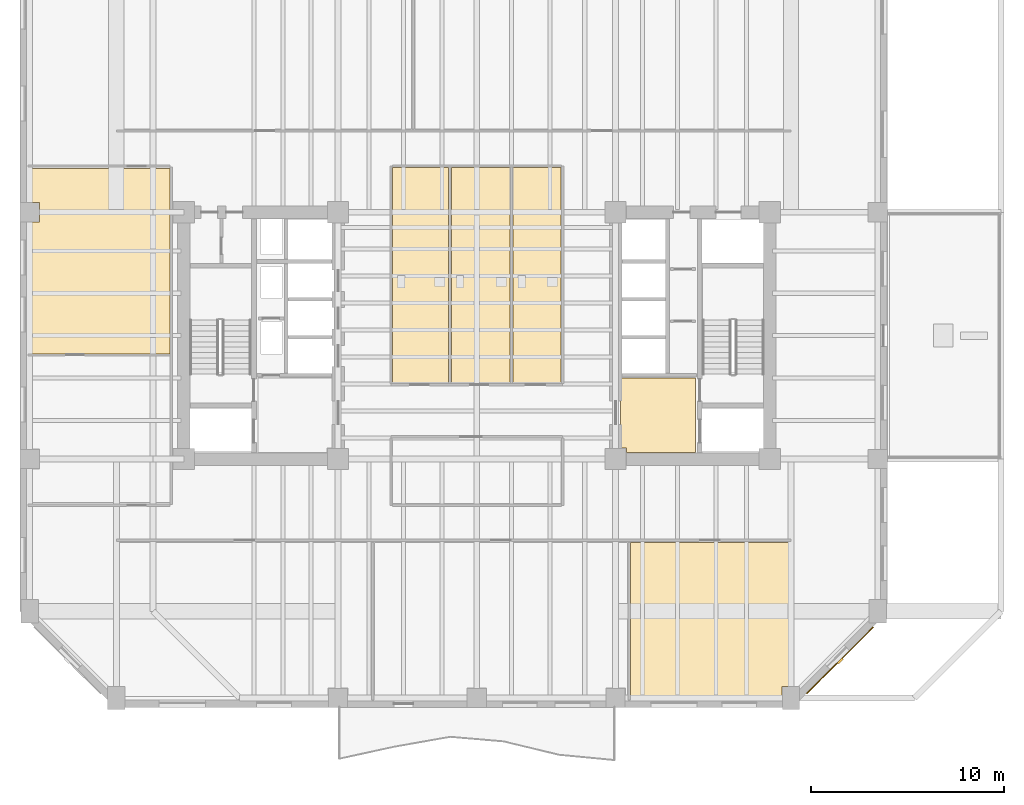
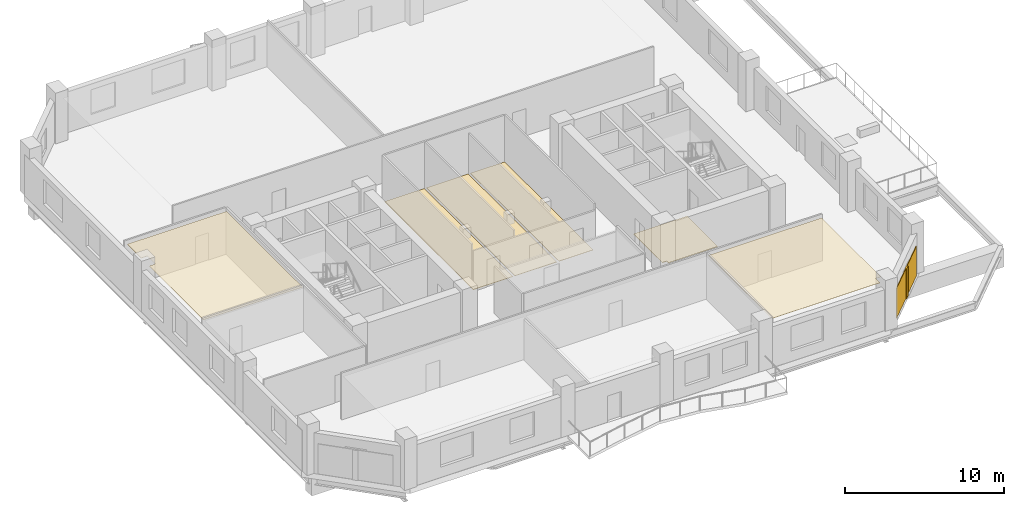
# One storey, part 8 of 11: 7 coverings, 1 shading device.
"""IFC4 building model written with IfcOpenShell, lengths in metres."""

from ifc_helpers import new_model, si_unit, direction, frame, origin, origin_2d, place, context, subcontext, project, spatial, polyline, rectangle, outline, extrude, material, layer, layer_set, type_object, element, save


model = new_model("IFC4")

# Units and contexts
model_context = context("Model", 3, precision=1e-05, world=origin(), true_north=direction((0.0, 1.0)))
body_context = subcontext(model_context, "Body", "Model", "MODEL_VIEW")
ifc_project = project(units=[si_unit("LENGTHUNIT", "METRE"), si_unit("AREAUNIT", "SQUARE_METRE"), si_unit("VOLUMEUNIT", "CUBIC_METRE"), si_unit("PLANEANGLEUNIT", "RADIAN"), si_unit("MASSUNIT", "GRAM", prefix="KILO")], contexts=[model_context])

# Site, building, storey
site_placement = place(None, origin())
site = spatial("IfcSite", under=ifc_project, at=site_placement, CompositionType="ELEMENT")
building_placement = place(site_placement, origin())
building = spatial("IfcBuilding", under=site, at=building_placement, Name="Kranthara Brick Stack", CompositionType="ELEMENT")
storey_placement = place(building_placement, frame((0.0, 0.0, 94.5)))
storey = spatial("IfcBuildingStorey", under=building, at=storey_placement, Name="L23", CompositionType="ELEMENT", Elevation=94.5)

# Coverings
ifc_material_1 = material(Name="Perforated mineral-fibre acoustic ceiling tile", Category="other")
ifc_layer_1 = layer(ifc_material_1, 0.02490234375)
ifc_layer_set_1 = layer_set([ifc_layer_1], Name="Perforated mineral-fibre acoustic ceiling tile")
covering_type_1 = type_object("IfcCoveringType", Name="COV-CEIL-ACOUSTIC", PredefinedType="CEILING", material=ifc_layer_set_1)
covering_1_placement = place(storey_placement, frame((0.0, 0.0, 3.330078125)))
element("IfcCovering", 1, at=covering_1_placement, inside=storey, type_object=covering_type_1, Name="L23 L23 Boardroom 3 Acoustic Ceiling", PredefinedType="CEILING", context=body_context, shape_type="SweptSolid", body=[
    extrude(outline(polyline([(35.97998046875, 8.469970703125), (35.97998046875, 16.47998046875), (44.219970703125, 16.47998046875), (44.219970703125, 9.010009765625), (43.840087890625, 9.010009765625), (43.840087890625, 8.469970703125), (35.97998046875, 8.469970703125)])), origin(), (0.0, 0.0, 1.0), 0.02490234375),
])
covering_2_placement = place(storey_placement, frame((0.0, 0.0, 3.330078125)))
element("IfcCovering", 2, at=covering_2_placement, inside=storey, type_object=covering_type_1, Name="L23 L23 West Executive Office 2 Acoustic Ceiling", PredefinedType="CEILING", context=body_context, shape_type="SweptSolid", body=[
    extrude(outline(polyline([(4.8701171875, 35.860107421875), (12.080078125, 35.860107421875), (12.080078125, 26.260009765625), (4.8701171875, 26.260009765625), (4.8701171875, 33.090087890625), (5.31005859375, 33.090087890625), (5.31005859375, 34.110107421875), (4.8701171875, 34.110107421875), (4.8701171875, 35.860107421875)])), origin(), (0.0, 0.0, 1.0), 0.02490234375),
])
ifc_material_2 = material(Name="Warm buff kiln-fired brick slip rainscreen", Category="masonry")
ifc_layer_2 = layer(ifc_material_2, 0.044921875)
ifc_layer_set_2 = layer_set([ifc_layer_2], Name="Warm buff kiln-fired brick slip rainscreen")
covering_type_2 = type_object("IfcCoveringType", Name="COV-CLAD-BRICK", PredefinedType="CLADDING", material=ifc_layer_set_2)
covering_3_placement = place(storey_placement, frame((46.843505859375, 10.3564453125, 0.0498046875), z_axis=(0.0, 0.0, 1.0), x_axis=(-0.707106781187, -0.707106781187, 0.0)))
element("IfcCovering", 3, at=covering_3_placement, inside=storey, type_object=covering_type_2, Name="L23 Chamfer Brick Rainscreen Cladding SE", PredefinedType="CLADDING", context=body_context, shape_type="SweptSolid", body=[
    extrude(rectangle(XDim=4.876953125, YDim=0.044921875, at=origin_2d()), origin(), (0.0, 0.0, 1.0), 2.300048828125),
])
ifc_material_3 = material(Name="Honed terrazzo and porcelain floor finish", Category="stone")
ifc_layer_3 = layer(ifc_material_3, 0.030029296875)
ifc_layer_set_3 = layer_set([ifc_layer_3], Name="Honed terrazzo and porcelain floor finish")
covering_type_3 = type_object("IfcCoveringType", Name="COV-FLOR-STONE", PredefinedType="FLOORING", material=ifc_layer_set_3)
covering_4_placement = place(storey_placement, origin())
element("IfcCovering", 4, at=covering_4_placement, inside=storey, type_object=covering_type_3, Name="L23 Lift Lobby Stone Flooring", PredefinedType="FLOORING", context=body_context, shape_type="SweptSolid", body=[
    extrude(outline(polyline([(35.449951171875, 25.0), (39.35009765625, 25.0), (39.35009765625, 21.14990234375), (35.760009765625, 21.14990234375), (35.760009765625, 21.360107421875), (35.449951171875, 21.360107421875), (35.449951171875, 25.0)])), origin(), (0.0, 0.0, 1.0), 0.030029296875),
])
covering_5_placement = place(storey_placement, origin())
element("IfcCovering", 5, at=covering_5_placement, inside=storey, type_object=covering_type_3, Name="L23 Wet Room Porcelain Flooring", PredefinedType="FLOORING", context=body_context, shape_type="SweptSolid", body=[
    extrude(outline(polyline([(26.52001953125, 24.75), (26.52001953125, 35.919921875), (23.6298828125, 35.919921875), (23.6298828125, 24.75), (26.52001953125, 24.75)])), origin(), (0.0, 0.0, 1.0), 0.030029296875),
])
covering_6_placement = place(storey_placement, origin())
element("IfcCovering", 6, at=covering_6_placement, inside=storey, type_object=covering_type_3, Name="L23 Wet Room Porcelain Flooring", PredefinedType="FLOORING", context=body_context, shape_type="SweptSolid", body=[
    extrude(outline(polyline([(29.719970703125, 24.75), (29.719970703125, 35.919921875), (26.679931640625, 35.919921875), (26.679931640625, 24.75), (29.719970703125, 24.75)])), origin(), (0.0, 0.0, 1.0), 0.030029296875),
])
covering_7_placement = place(storey_placement, origin())
element("IfcCovering", 7, at=covering_7_placement, inside=storey, type_object=covering_type_3, Name="L23 Wet Room Porcelain Flooring", PredefinedType="FLOORING", context=body_context, shape_type="SweptSolid", body=[
    extrude(outline(polyline([(32.3701171875, 24.75), (32.3701171875, 35.919921875), (29.8798828125, 35.919921875), (29.8798828125, 24.75), (32.3701171875, 24.75)])), origin(), (0.0, 0.0, 1.0), 0.030029296875),
])

# Shading device
ifc_material_4 = material(Name="Kiln-fired terracotta aerodynamic wind fin", Category="masonry")
shading_device_type = type_object("IfcShadingDeviceType", Name="SHD-BAFFLE-CORNER", PredefinedType="SHUTTER", material=ifc_material_4)
shading_device_placement = place(storey_placement, frame((46.86474609375, 10.335205078125, 0.0498046875), z_axis=(0.0, 0.0, 1.0), x_axis=(-0.707106781187, -0.707106781187, 0.0)))
element("IfcShadingDevice", 8, at=shading_device_placement, inside=storey, type_object=shading_device_type, Name="L23 Chamfer Wind-Baffle Fin SE", PredefinedType="SHUTTER", context=body_context, shape_type="SweptSolid", body=[
    extrude(rectangle(XDim=0.35009765625, YDim=0.1201171875, at=origin_2d()), origin(), (0.0, 0.0, 1.0), 2.300048828125),
])

save(model, "model.ifc")
